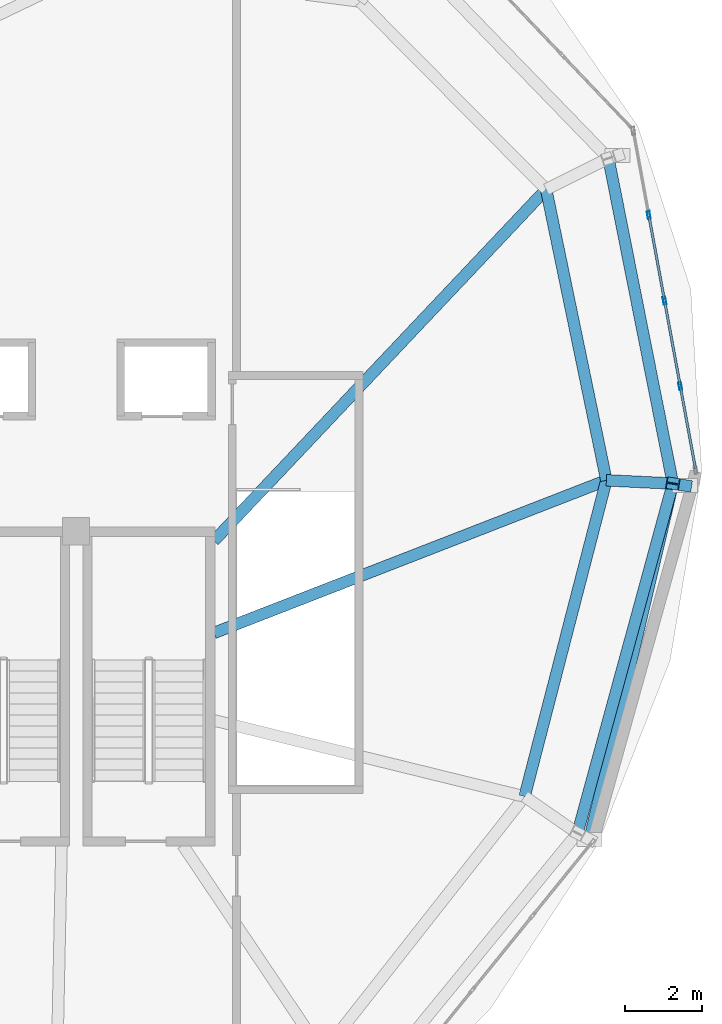
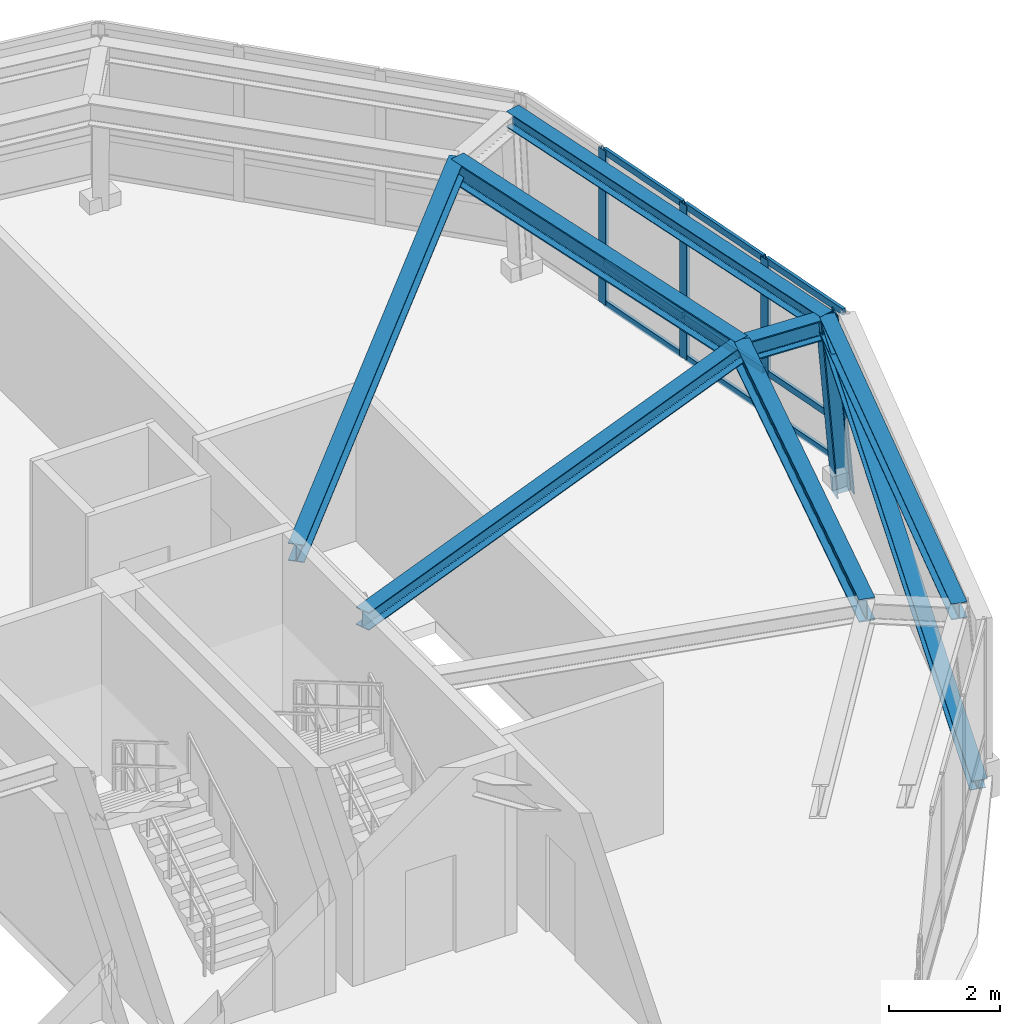
# One storey, part 7 of 14: 14 members, 7 beams, 1 element without a shape of its own.
"""IFC4 building model written with IfcOpenShell, lengths in metres."""

from ifc_helpers import new_model, si_unit, direction, frame, origin, origin_2d, place, context, subcontext, project, spatial, hollow_rectangle, i_section, extrude, material, layer, layer_set, material_profile, profile_set, type_object, element, aggregate, save


model = new_model("IFC4")

# Units and contexts
model_context = context("Model", 3, precision=1e-05, world=origin(), true_north=direction((0.0, 1.0)))
body_context = subcontext(model_context, "Body", "Model", "MODEL_VIEW")
ifc_project = project(units=[si_unit("LENGTHUNIT", "METRE"), si_unit("AREAUNIT", "SQUARE_METRE"), si_unit("VOLUMEUNIT", "CUBIC_METRE"), si_unit("PLANEANGLEUNIT", "RADIAN"), si_unit("MASSUNIT", "GRAM", prefix="KILO"), si_unit("THERMODYNAMICTEMPERATUREUNIT", "KELVIN"), si_unit("POWERUNIT", "WATT")], contexts=[model_context])

# Site, building, storey
site_placement = place(None, origin())
site = spatial("IfcSite", under=ifc_project, at=site_placement, CompositionType="ELEMENT")
building_placement = place(site_placement, origin())
building = spatial("IfcBuilding", under=site, at=building_placement, Name="Ocrelia Relay Tower", CompositionType="ELEMENT")
storey_placement = place(building_placement, frame((0.0, 0.0, 288.0)))
storey = spatial("IfcBuildingStorey", under=building, at=storey_placement, Name="L72", CompositionType="ELEMENT", Elevation=288.0)

# Beams
ifc_material_1 = material(Name="Steel S355", Category="steel")
ifc_material_profile_1 = material_profile(ifc_material_1, i_section(OverallWidth=0.300048828125, OverallDepth=0.35009765625, WebThickness=0.010009765625, FlangeThickness=0.017578125, FilletRadius=0.027099609375, at=origin_2d()), Name="HEA 360")
ifc_profile_set_1 = profile_set([ifc_material_profile_1], Name="Steel S355")
beam_type_1 = type_object("IfcBeamType", Name="BM-HEA360", PredefinedType="SPANDREL", material=ifc_profile_set_1)
beam_1_placement = place(storey_placement, frame((46.973876953125, 19.3037109375, 3.574951171875), z_axis=(0.263286959483, 0.964717563314, 0.0), x_axis=(-0.964717563314, 0.263286959483, 0.0)))
element("IfcBeam", 1, at=beam_1_placement, inside=storey, type_object=beam_type_1, Name="L72 Crown Faceted Ring Beam R10", PredefinedType="SPANDREL", context=body_context, shape_type="SweptSolid", body=[
    extrude(i_section(OverallWidth=0.300048828125, OverallDepth=0.35009765625, WebThickness=0.010009765625, FlangeThickness=0.017578125, FilletRadius=0.027099609375, at=origin_2d()), origin(), (0.0, 0.0, 1.0), 9.38134765625),
])
beam_2_placement = place(storey_placement, frame((49.44384765625, 28.35400390625, 3.574951171875), z_axis=(-0.194359931927, 0.980930281346, 0.0), x_axis=(-0.980930281346, -0.194359931927, 0.0)))
element("IfcBeam", 2, at=beam_2_placement, inside=storey, type_object=beam_type_1, Name="L72 Crown Faceted Ring Beam R11", PredefinedType="SPANDREL", context=body_context, shape_type="SweptSolid", body=[
    extrude(i_section(OverallWidth=0.300048828125, OverallDepth=0.35009765625, WebThickness=0.010009765625, FlangeThickness=0.017578125, FilletRadius=0.027099609375, at=origin_2d()), origin(), (0.0, 0.0, 1.0), 8.5830078125),
])
ifc_material_profile_2 = material_profile(ifc_material_1, i_section(OverallWidth=0.300048828125, OverallDepth=0.389892578125, WebThickness=0.010986328125, FlangeThickness=0.01904296875, FilletRadius=0.027099609375, at=origin_2d()), Name="HEA 400")
ifc_profile_set_2 = profile_set([ifc_material_profile_2], Name="Steel S355")
beam_type_2 = type_object("IfcBeamType", Name="BM-HEA400", PredefinedType="SPANDREL", material=ifc_profile_set_2)
beam_3_placement = place(storey_placement, frame((47.72265625, 28.4375, 3.554931640625), z_axis=(-0.931982810132, -0.362502471191, 0.0), x_axis=(0.362502471191, -0.931982810132, 0.0)))
element("IfcBeam", 3, at=beam_3_placement, inside=storey, type_object=beam_type_2, Name="L72 Crown Radial Floor Beam 11", PredefinedType="SPANDREL", context=body_context, shape_type="SweptSolid", body=[
    extrude(i_section(OverallWidth=0.300048828125, OverallDepth=0.389892578125, WebThickness=0.010986328125, FlangeThickness=0.01904296875, FilletRadius=0.027099609375, at=origin_2d()), origin(), (0.0, 0.0, 1.0), 10.89892578125),
])
beam_4_placement = place(storey_placement, frame((46.163818359375, 35.969482421875, 3.554931640625), z_axis=(-0.686904091422, -0.726748078214, 0.0), x_axis=(0.726748078214, -0.686904091422, 0.0)))
element("IfcBeam", 4, at=beam_4_placement, inside=storey, type_object=beam_type_2, Name="L72 Crown Radial Floor Beam 12", PredefinedType="SPANDREL", context=body_context, shape_type="SweptSolid", body=[
    extrude(i_section(OverallWidth=0.300048828125, OverallDepth=0.389892578125, WebThickness=0.010986328125, FlangeThickness=0.01904296875, FilletRadius=0.027099609375, at=origin_2d()), origin(), (0.0, 0.0, 1.0), 12.518310546875),
])
ifc_material_profile_3 = material_profile(ifc_material_1, i_section(OverallWidth=0.300048828125, OverallDepth=0.449951171875, WebThickness=0.013916015625, FlangeThickness=0.02587890625, FilletRadius=0.027099609375, at=origin_2d()), Name="HEB 450")
ifc_profile_set_3 = profile_set([ifc_material_profile_3], Name="Steel S355")
beam_type_3 = type_object("IfcBeamType", Name="BM-HEB450", PredefinedType="BEAM", material=ifc_profile_set_3)
beam_5_placement = place(storey_placement, frame((49.44384765625, 28.35400390625, 3.52490234375), z_axis=(-0.998825431648, 0.048453659237, 0.0), x_axis=(-0.048453659237, -0.998825431648, 0.0)))
element("IfcBeam", 5, at=beam_5_placement, inside=storey, type_object=beam_type_3, Name="L72 Crown Step Radial Beam ST11", PredefinedType="BEAM", context=body_context, shape_type="SweptSolid", body=[
    extrude(i_section(OverallWidth=0.300048828125, OverallDepth=0.449951171875, WebThickness=0.013916015625, FlangeThickness=0.02587890625, FilletRadius=0.027099609375, at=origin_2d()), origin(), (0.0, 0.0, 1.0), 1.72314453125),
])
ifc_material_profile_4 = material_profile(ifc_material_1, i_section(OverallWidth=0.300048828125, OverallDepth=0.5, WebThickness=0.014404296875, FlangeThickness=0.028076171875, FilletRadius=0.027099609375, at=origin_2d()), Name="HEB 500")
ifc_profile_set_4 = profile_set([ifc_material_profile_4], Name="Steel S355")
beam_type_4 = type_object("IfcBeamType", Name="BM-HEB500", PredefinedType="BEAM", material=ifc_profile_set_4)
beam_6_placement = place(storey_placement, frame((45.6044921875, 20.252197265625, 3.5), z_axis=(0.250524212108, 0.968110334181, 0.0), x_axis=(-0.968110334181, 0.250524212108, 0.0)))
element("IfcBeam", 6, at=beam_6_placement, inside=storey, type_object=beam_type_4, Name="L72 Crown Step Perimeter Ring Beam SR10", PredefinedType="BEAM", context=body_context, shape_type="SweptSolid", body=[
    extrude(i_section(OverallWidth=0.300048828125, OverallDepth=0.5, WebThickness=0.014404296875, FlangeThickness=0.028076171875, FilletRadius=0.027099609375, at=origin_2d()), origin(), (0.0, 0.0, 1.0), 8.454833984375),
])
beam_7_placement = place(storey_placement, frame((47.72265625, 28.4375, 3.5), z_axis=(-0.202667529725, 0.979247605254, 0.0), x_axis=(-0.979247605254, -0.202667529725, 0.0)))
element("IfcBeam", 7, at=beam_7_placement, inside=storey, type_object=beam_type_4, Name="L72 Crown Step Perimeter Ring Beam SR11", PredefinedType="BEAM", context=body_context, shape_type="SweptSolid", body=[
    extrude(i_section(OverallWidth=0.300048828125, OverallDepth=0.5, WebThickness=0.014404296875, FlangeThickness=0.028076171875, FilletRadius=0.027099609375, at=origin_2d()), origin(), (0.0, 0.0, 1.0), 7.691650390625),
])

# Curtain wall, members
ifc_material_2 = material(Name="Aluminium and solar-control low-E glass", Category="aluminium")
ifc_layer = layer(ifc_material_2, 0.179931640625, Name="Aluminium and solar-control low-E glass")
ifc_layer_set = layer_set([ifc_layer], Name="Aluminium and solar-control low-E glass")
curtain_wall_type = type_object("IfcCurtainWallType", Name="CW-SYS-CROWN-PT", PredefinedType="NOTDEFINED", material=ifc_layer_set)
curtain_wall_placement = place(storey_placement, origin())
curtain_wall = element("IfcCurtainWall", 8, at=curtain_wall_placement, inside=storey, type_object=curtain_wall_type, Name="L72 Faceted Glass-Point Crown Curtain Wall 11", PredefinedType="NOTDEFINED")
ifc_material_3 = material(Name="Anodised bronze aluminium", Category="aluminium")
ifc_material_profile_5 = material_profile(ifc_material_3, hollow_rectangle(XDim=0.074951171875, YDim=0.199951171875, WallThickness=0.006103515625, at=origin_2d()), Name="CW-MUL-200x75")
ifc_profile_set_5 = profile_set([ifc_material_profile_5], Name="Anodised bronze aluminium")
member_type_1 = type_object("IfcMemberType", Name="CW-SYS-CROWN-PT-MUL", PredefinedType="MULLION", material=ifc_profile_set_5)
member_1_placement = place(storey_placement, frame((49.634765625, 30.877197265625, 0.0), z_axis=(0.0, 0.0, 1.0), x_axis=(-0.983470580695, -0.181067989736, 0.0)))
member_1 = element("IfcMember", 9, at=member_1_placement, type_object=member_type_1, Name="CW-CR mullion 2", PredefinedType="MULLION", context=body_context, shape_type="SweptSolid", body=[
    extrude(hollow_rectangle(XDim=0.074951171875, YDim=0.199951171875, WallThickness=0.006103515625, at=origin_2d()), origin(), (0.0, 0.0, 1.0), 3.389892578125),
])
member_2_placement = place(storey_placement, frame((49.227294921875, 33.09033203125, 0.0), z_axis=(0.0, 0.0, 1.0), x_axis=(-0.983470580695, -0.181067989736, 0.0)))
member_2 = element("IfcMember", 10, at=member_2_placement, type_object=member_type_1, Name="CW-CR mullion 3", PredefinedType="MULLION", context=body_context, shape_type="SweptSolid", body=[
    extrude(hollow_rectangle(XDim=0.074951171875, YDim=0.199951171875, WallThickness=0.006103515625, at=origin_2d()), origin(), (0.0, 0.0, 1.0), 3.389892578125),
])
member_3_placement = place(storey_placement, frame((48.81982421875, 35.303466796875, 0.0), z_axis=(0.0, 0.0, 1.0), x_axis=(-0.983470580695, -0.181067989736, 0.0)))
member_3 = element("IfcMember", 11, at=member_3_placement, type_object=member_type_1, Name="CW-CR mullion 4", PredefinedType="MULLION", context=body_context, shape_type="SweptSolid", body=[
    extrude(hollow_rectangle(XDim=0.074951171875, YDim=0.199951171875, WallThickness=0.006103515625, at=origin_2d()), origin(), (0.0, 0.0, 1.0), 3.389892578125),
])
ifc_material_profile_6 = material_profile(ifc_material_3, hollow_rectangle(XDim=0.06494140625, YDim=0.139892578125, WallThickness=0.0048828125, at=origin_2d()), Name="CW-TRN-140x65")
ifc_profile_set_6 = profile_set([ifc_material_profile_6], Name="Anodised bronze aluminium")
member_type_2 = type_object("IfcMemberType", Name="CW-SYS-CROWN-PT-TRN", PredefinedType="USERDEFINED", material=ifc_profile_set_6)
member_4_placement = place(storey_placement, frame((50.02880859375, 28.737548828125, 0.032470703125), z_axis=(-0.181095586001, 0.983465499512, 0.0), x_axis=(-0.983465499512, -0.181095586001, 0.0)))
member_4 = element("IfcMember", 12, at=member_4_placement, type_object=member_type_2, Name="CW-CR transom 1.1", ObjectType="TRANSOM", PredefinedType="USERDEFINED", context=body_context, shape_type="SweptSolid", body=[
    extrude(hollow_rectangle(XDim=0.06494140625, YDim=0.139892578125, WallThickness=0.0048828125, at=origin_2d()), origin(), (0.0, 0.0, 1.0), 2.13818359375),
])
member_5_placement = place(storey_placement, frame((50.02880859375, 28.737548828125, 0.89990234375), z_axis=(-0.181095586001, 0.983465499512, 0.0), x_axis=(-0.983465499512, -0.181095586001, 0.0)))
member_5 = element("IfcMember", 13, at=member_5_placement, type_object=member_type_2, Name="CW-CR transom 1.2", ObjectType="TRANSOM", PredefinedType="USERDEFINED", context=body_context, shape_type="SweptSolid", body=[
    extrude(hollow_rectangle(XDim=0.06494140625, YDim=0.139892578125, WallThickness=0.0048828125, at=origin_2d()), origin(), (0.0, 0.0, 1.0), 2.13818359375),
])
member_6_placement = place(storey_placement, frame((50.02880859375, 28.737548828125, 3.357421875), z_axis=(-0.181095586001, 0.983465499512, 0.0), x_axis=(-0.983465499512, -0.181095586001, 0.0)))
member_6 = element("IfcMember", 14, at=member_6_placement, type_object=member_type_2, Name="CW-CR transom 1.3", ObjectType="TRANSOM", PredefinedType="USERDEFINED", context=body_context, shape_type="SweptSolid", body=[
    extrude(hollow_rectangle(XDim=0.06494140625, YDim=0.139892578125, WallThickness=0.0048828125, at=origin_2d()), origin(), (0.0, 0.0, 1.0), 2.13818359375),
])
member_7_placement = place(storey_placement, frame((49.6279296875, 30.9140625, 0.032470703125), z_axis=(-0.181028171869, 0.983477910779, 0.0), x_axis=(-0.983477910779, -0.181028171869, 0.0)))
member_7 = element("IfcMember", 15, at=member_7_placement, type_object=member_type_2, Name="CW-CR transom 2.1", ObjectType="TRANSOM", PredefinedType="USERDEFINED", context=body_context, shape_type="SweptSolid", body=[
    extrude(hollow_rectangle(XDim=0.06494140625, YDim=0.139892578125, WallThickness=0.0048828125, at=origin_2d()), origin(), (0.0, 0.0, 1.0), 2.17529296875),
])
member_8_placement = place(storey_placement, frame((49.6279296875, 30.9140625, 0.89990234375), z_axis=(-0.181028171869, 0.983477910779, 0.0), x_axis=(-0.983477910779, -0.181028171869, 0.0)))
member_8 = element("IfcMember", 16, at=member_8_placement, type_object=member_type_2, Name="CW-CR transom 2.2", ObjectType="TRANSOM", PredefinedType="USERDEFINED", context=body_context, shape_type="SweptSolid", body=[
    extrude(hollow_rectangle(XDim=0.06494140625, YDim=0.139892578125, WallThickness=0.0048828125, at=origin_2d()), origin(), (0.0, 0.0, 1.0), 2.17529296875),
])
member_9_placement = place(storey_placement, frame((49.6279296875, 30.9140625, 3.357421875), z_axis=(-0.181028171869, 0.983477910779, 0.0), x_axis=(-0.983477910779, -0.181028171869, 0.0)))
member_9 = element("IfcMember", 17, at=member_9_placement, type_object=member_type_2, Name="CW-CR transom 2.3", ObjectType="TRANSOM", PredefinedType="USERDEFINED", context=body_context, shape_type="SweptSolid", body=[
    extrude(hollow_rectangle(XDim=0.06494140625, YDim=0.139892578125, WallThickness=0.0048828125, at=origin_2d()), origin(), (0.0, 0.0, 1.0), 2.17529296875),
])
member_10_placement = place(storey_placement, frame((49.220458984375, 33.127197265625, 0.032470703125), z_axis=(-0.181028171869, 0.983477910779, 0.0), x_axis=(-0.983477910779, -0.181028171869, 0.0)))
member_10 = element("IfcMember", 18, at=member_10_placement, type_object=member_type_2, Name="CW-CR transom 3.1", ObjectType="TRANSOM", PredefinedType="USERDEFINED", context=body_context, shape_type="SweptSolid", body=[
    extrude(hollow_rectangle(XDim=0.06494140625, YDim=0.139892578125, WallThickness=0.0048828125, at=origin_2d()), origin(), (0.0, 0.0, 1.0), 2.17529296875),
])
member_11_placement = place(storey_placement, frame((49.220458984375, 33.127197265625, 0.89990234375), z_axis=(-0.181028171869, 0.983477910779, 0.0), x_axis=(-0.983477910779, -0.181028171869, 0.0)))
member_11 = element("IfcMember", 19, at=member_11_placement, type_object=member_type_2, Name="CW-CR transom 3.2", ObjectType="TRANSOM", PredefinedType="USERDEFINED", context=body_context, shape_type="SweptSolid", body=[
    extrude(hollow_rectangle(XDim=0.06494140625, YDim=0.139892578125, WallThickness=0.0048828125, at=origin_2d()), origin(), (0.0, 0.0, 1.0), 2.17529296875),
])
member_12_placement = place(storey_placement, frame((49.220458984375, 33.127197265625, 3.357421875), z_axis=(-0.181028171869, 0.983477910779, 0.0), x_axis=(-0.983477910779, -0.181028171869, 0.0)))
member_12 = element("IfcMember", 20, at=member_12_placement, type_object=member_type_2, Name="CW-CR transom 3.3", ObjectType="TRANSOM", PredefinedType="USERDEFINED", context=body_context, shape_type="SweptSolid", body=[
    extrude(hollow_rectangle(XDim=0.06494140625, YDim=0.139892578125, WallThickness=0.0048828125, at=origin_2d()), origin(), (0.0, 0.0, 1.0), 2.17529296875),
])
aggregate(curtain_wall, [member_1, member_2, member_3, member_4, member_5, member_6, member_7, member_8, member_9, member_10, member_11, member_12])

# Members
ifc_material_profile_7 = material_profile(ifc_material_1, i_section(OverallWidth=0.300048828125, OverallDepth=0.300048828125, WebThickness=0.010986328125, FlangeThickness=0.01904296875, FilletRadius=0.027099609375, at=origin_2d()), Name="HEB 300")
ifc_profile_set_7 = profile_set([ifc_material_profile_7], Name="Steel S355")
member_type_3 = type_object("IfcMemberType", Name="MB-CROWN-DIAG", PredefinedType="BRACE", material=ifc_profile_set_7)
member_13_placement = place(storey_placement, frame((47.284912109375, 19.143310546875, -0.25), z_axis=(0.211570761964, 0.90262695201, 0.374836495272), x_axis=(-0.973612099855, 0.228209287752, 0.0)))
element("IfcMember", 21, at=member_13_placement, inside=storey, type_object=member_type_3, Name="L72 Crown Bracing Diagonal CD10", PredefinedType="BRACE", context=body_context, shape_type="SweptSolid", body=[
    extrude(i_section(OverallWidth=0.300048828125, OverallDepth=0.300048828125, WebThickness=0.010986328125, FlangeThickness=0.01904296875, FilletRadius=0.027099609375, at=origin_2d()), origin(), (0.0, 0.0, 1.0), 10.204345703125),
])
ifc_material_profile_8 = material_profile(ifc_material_1, i_section(OverallWidth=0.300048828125, OverallDepth=0.340087890625, WebThickness=0.011962890625, FlangeThickness=0.021484375, FilletRadius=0.027099609375, at=origin_2d()), Name="HEB 340")
ifc_profile_set_8 = profile_set([ifc_material_profile_8], Name="Steel S355")
member_type_4 = type_object("IfcMemberType", Name="MB-CROWN-RIB", PredefinedType="STRUT", material=ifc_profile_set_8)
member_14_placement = place(storey_placement, frame((49.759033203125, 28.3037109375, -0.25), z_axis=(-0.078546731643, 0.012533405669, 0.996831643103), x_axis=(-0.157572825787, -0.987507369377, 0.0)))
element("IfcMember", 22, at=member_14_placement, inside=storey, type_object=member_type_4, Name="L72 Crown Faceted Structural Strut Rib CR11", PredefinedType="STRUT", context=body_context, shape_type="SweptSolid", body=[
    extrude(i_section(OverallWidth=0.300048828125, OverallDepth=0.340087890625, WebThickness=0.011962890625, FlangeThickness=0.021484375, FilletRadius=0.027099609375, at=origin_2d()), origin(), (0.0, 0.0, 1.0), 4.0126953125),
])

save(model, "model.ifc")
